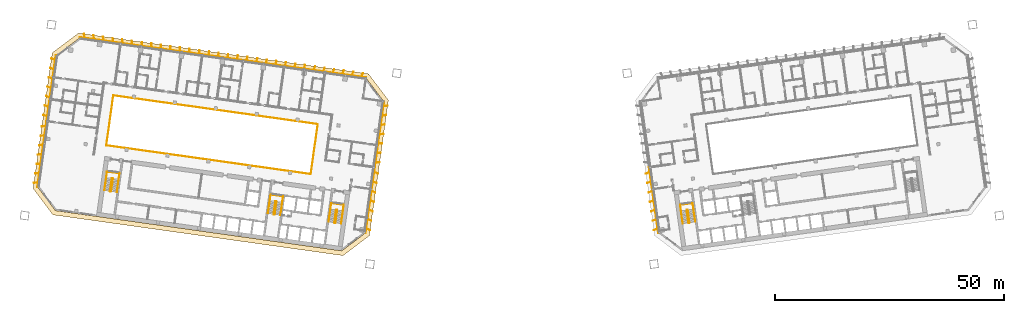
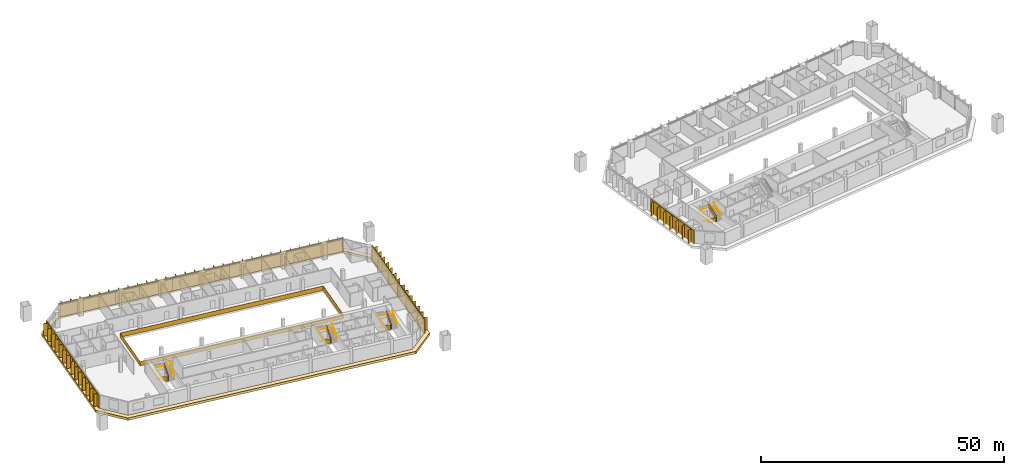
# One storey, part 24 of 25: 10 shading devices, 9 railings, 1 covering.
"""IFC4 building model written with IfcOpenShell, lengths in metres."""

import ifcopenshell
import ifcopenshell.guid

model = None  # the IFC model being written
_history = None  # IfcOwnerHistory: only IFC2X3 demands one
_inside = {}  # id of a spatial element -> (the spatial element, [elements in it])
_under = {}  # id of a project, library or spatial element -> (it, [spatial elements below it])
_declared = {}  # id of a project -> (the project, [libraries it declares])
_typed = {}  # id of a type object -> (the type object, [elements of that type])
_made_of = {}  # id of a material, layer set ... -> (it, [elements and type objects made of it])


def new_model(schema):
    """Start an empty IFC model of exactly this schema.

    Asked for "IFC4X3", IfcOpenShell would pick the latest addendum, in which some entities
    have other attributes; the version numbers below select the first issue.
    IFC2X3 requires an IfcOwnerHistory on every rooted entity: one is made here for all.
    """
    global model, _history
    if schema == "IFC4X3":
        model = ifcopenshell.file(schema_version=(4, 3, 0, 0))
    else:
        model = ifcopenshell.file(schema=schema)
    _inside.clear()
    _under.clear()
    _declared.clear()
    _typed.clear()
    _made_of.clear()
    _history = None
    if model.schema == "IFC2X3":
        org = make("IfcOrganization", Name="unknown")
        user = make(
            "IfcPersonAndOrganization",
            ThePerson=make("IfcPerson", FamilyName="unknown"),
            TheOrganization=org,
        )
        app = make(
            "IfcApplication",
            ApplicationDeveloper=org,
            Version="unknown",
            ApplicationFullName="unknown",
            ApplicationIdentifier="unknown",
        )
        _history = make(
            "IfcOwnerHistory",
            OwningUser=user,
            OwningApplication=app,
            ChangeAction="ADDED",
            CreationDate=0,
        )
    return model


def make(cls, **values):
    """One entity of the class cls with the attributes given. An attribute that is None is left unset."""
    return model.create_entity(
        cls, **{name: value for name, value in values.items() if value is not None}
    )


def rooted(cls, **values):
    """An entity with a GlobalId (a new one), such as an element, a storey or a relation."""
    return make(cls, GlobalId=ifcopenshell.guid.new(), OwnerHistory=_history, **values)


def si_unit(unit_type, name, prefix=None):
    """IfcSIUnit, for example si_unit("LENGTHUNIT", "METRE", prefix="MILLI")."""
    return make("IfcSIUnit", UnitType=unit_type, Prefix=prefix, Name=name)


def assignment(units):
    """IfcUnitAssignment: the units of a project."""
    return None if units is None else make("IfcUnitAssignment", Units=units)


def point(xyz):
    """IfcCartesianPoint."""
    return None if xyz is None else make("IfcCartesianPoint", Coordinates=xyz)


def direction(xyz):
    """IfcDirection."""
    return None if xyz is None else make("IfcDirection", DirectionRatios=xyz)


def frame(location, z_axis=None, x_axis=None):
    """IfcAxis2Placement3D, a coordinate frame: its origin and axes. An axis left out is left unset."""
    return make(
        "IfcAxis2Placement3D",
        Location=point(location),
        Axis=direction(z_axis),
        RefDirection=direction(x_axis),
    )


def frame_2d(location, x_axis=None):
    """IfcAxis2Placement2D, a coordinate frame in the plane: its origin and x axis."""
    return make(
        "IfcAxis2Placement2D", Location=point(location), RefDirection=direction(x_axis)
    )


def origin():
    """The frame at (0, 0, 0) with its axes left unset."""
    return frame((0.0, 0.0, 0.0))


def origin_2d():
    """The frame at (0, 0) in the plane with its x axis left unset."""
    return frame_2d((0.0, 0.0))


def place(relative_to, where):
    """IfcLocalPlacement: puts the frame where relative to a parent placement (None: the world)."""
    return make(
        "IfcLocalPlacement", PlacementRelTo=relative_to, RelativePlacement=where
    )


def context(
    kind, dimensions, precision=None, world=None, true_north=None, identifier=None
):
    """IfcGeometricRepresentationContext, for example the 3D "Model" context."""
    return make(
        "IfcGeometricRepresentationContext",
        ContextIdentifier=identifier,
        ContextType=kind,
        CoordinateSpaceDimension=dimensions,
        Precision=precision,
        WorldCoordinateSystem=world,
        TrueNorth=true_north,
    )


def subcontext(parent, identifier, kind, view, scale=None):
    """IfcGeometricRepresentationSubContext, for example "Body" below "Model"."""
    return make(
        "IfcGeometricRepresentationSubContext",
        ContextIdentifier=identifier,
        ContextType=kind,
        ParentContext=parent,
        TargetScale=scale,
        TargetView=view,
    )


def project(units=None, contexts=None):
    """IfcProject with its units and contexts."""
    return rooted(
        "IfcProject",
        Name="project",
        RepresentationContexts=contexts,
        UnitsInContext=assignment(units),
    )


def spatial(cls, under=None, at=None, **own):
    """A site, building, storey or space (cls), placed at a placement, below another one or the project."""
    s = rooted(cls, ObjectPlacement=at, **own)
    if under is not None:
        _under.setdefault(under.id(), (under, []))[1].append(s)
    return s


def polyline(points):
    """IfcPolyline through the points."""
    return make("IfcPolyline", Points=[point(p) for p in points])


def profile(cls, at=None, kind="AREA", **sizes):
    """A parametric profile (cls). Its sizes go by their IFC names, for example OverallWidth=200.0."""
    return make(cls, ProfileType=kind, Position=at, **sizes)


def rectangle(**sizes):
    """IfcRectangleProfileDef."""
    return profile("IfcRectangleProfileDef", **sizes)


def outline(outer, holes=None, kind="AREA"):
    """IfcArbitraryClosedProfileDef: a profile drawn as a closed curve; with holes, ...WithVoids."""
    if holes is None:
        return make("IfcArbitraryClosedProfileDef", ProfileType=kind, OuterCurve=outer)
    return make(
        "IfcArbitraryProfileDefWithVoids",
        ProfileType=kind,
        OuterCurve=outer,
        InnerCurves=holes,
    )


def extrude(swept, where, along, depth):
    """IfcExtrudedAreaSolid: the profile swept, set in the frame where, extruded along a direction by depth."""
    return make(
        "IfcExtrudedAreaSolid",
        SweptArea=swept,
        Position=where,
        ExtrudedDirection=direction(along),
        Depth=depth,
    )


def shape(context_of_items, identifier, shape_type, items):
    """IfcShapeRepresentation: the items that make up one representation, for example the "Body"."""
    return make(
        "IfcShapeRepresentation",
        ContextOfItems=context_of_items,
        RepresentationIdentifier=identifier,
        RepresentationType=shape_type,
        Items=items,
    )


def material(Name=None, Category=None):
    """IfcMaterial."""
    return make("IfcMaterial", Name=Name, Category=Category)


def layer(
    of_material, thickness, ventilated=None, Name=None, Category=None, Priority=None
):
    """IfcMaterialLayer: one layer of a wall or slab, of a material (None: an air gap)."""
    return make(
        "IfcMaterialLayer",
        Material=of_material,
        LayerThickness=thickness,
        IsVentilated=ventilated,
        Name=Name,
        Category=Category,
        Priority=Priority,
    )


def layer_set(layers, Name=None):
    """IfcMaterialLayerSet."""
    return make("IfcMaterialLayerSet", MaterialLayers=layers, LayerSetName=Name)


def made_of(thing, what):
    """Note that an element or type object is made of a material, layer set ...; save() writes the relation."""
    if what is not None:
        _made_of.setdefault(what.id(), (what, []))[1].append(thing)
    return thing


def type_object(cls, material=None, **own):
    """A type object (cls), such as IfcWallType, which elements share."""
    return made_of(rooted(cls, **own), material)


def element(
    cls,
    number,
    at=None,
    inside=None,
    cuts=None,
    type_object=None,
    material=None,
    context=None,
    identifier="Body",
    shape_type=None,
    held_by="IfcProductDefinitionShape",
    body=None,
    shapes=None,
    **own,
):
    """One element of the class cls, such as IfcWall. Its Tag is "e" and its number.

    at: its placement. inside: the storey or other place that contains it. cuts: it is an
    opening in that element (IfcRelVoidsElement). A single representation is given by context,
    identifier, shape_type and body (its items); several are given by shapes. held_by: the class
    of the entity that holds the representations. save() writes the other relations.
    """
    e = rooted(cls, Tag="e%d" % number, ObjectPlacement=at, **own)
    if body is not None:
        shapes = [shape(context, identifier, shape_type, body)]
    if shapes is not None:
        e.Representation = make(held_by, Representations=shapes)
    if inside is not None:
        _inside.setdefault(inside.id(), (inside, []))[1].append(e)
    if cuts is not None:
        rooted(
            "IfcRelVoidsElement", RelatingBuildingElement=cuts, RelatedOpeningElement=e
        )
    if type_object is not None:
        _typed.setdefault(type_object.id(), (type_object, []))[1].append(e)
    return made_of(e, material)


def aggregate(whole, parts):
    """IfcRelAggregates: a whole, such as a stair, and the parts it consists of."""
    return rooted("IfcRelAggregates", RelatingObject=whole, RelatedObjects=parts)


def save(model, path):
    """Write the relations noted so far, then the file.

    IfcRelAggregates (storeys below a building ...), IfcRelContainedInSpatialStructure (elements
    in a storey), IfcRelDefinesByType, IfcRelAssociatesMaterial and IfcRelDeclares: one each for
    every whole, place, type object, material and project.
    """
    for whole, parts in _under.values():
        aggregate(whole, parts)
    for where, things in _inside.values():
        rooted(
            "IfcRelContainedInSpatialStructure",
            RelatedElements=things,
            RelatingStructure=where,
        )
    for kind, things in _typed.values():
        rooted("IfcRelDefinesByType", RelatedObjects=things, RelatingType=kind)
    for what, things in _made_of.values():
        rooted("IfcRelAssociatesMaterial", RelatedObjects=things, RelatingMaterial=what)
    for by, libraries in _declared.values():
        rooted("IfcRelDeclares", RelatingContext=by, RelatedDefinitions=libraries)
    model.write(path)


model = new_model("IFC4")

# Units and contexts
model_context = context("Model", 3, precision=1e-05, world=origin(), true_north=direction((0.0, 1.0)))
body_context = subcontext(model_context, "Body", "Model", "MODEL_VIEW")
ifc_project = project(units=[si_unit("LENGTHUNIT", "METRE"), si_unit("AREAUNIT", "SQUARE_METRE"), si_unit("VOLUMEUNIT", "CUBIC_METRE"), si_unit("PLANEANGLEUNIT", "RADIAN"), si_unit("MASSUNIT", "GRAM", prefix="KILO")], contexts=[model_context])

# Site, building, storey
site_placement = place(None, origin())
site = spatial("IfcSite", under=ifc_project, at=site_placement, CompositionType="ELEMENT")
building_placement = place(site_placement, origin())
building = spatial("IfcBuilding", under=site, at=building_placement, Name="Mirante Cascada Hotel Towers", CompositionType="ELEMENT")
storey_placement = place(building_placement, frame((0.0, 0.0, 62.3)))
storey = spatial("IfcBuildingStorey", under=building, at=storey_placement, Name="L12", CompositionType="ELEMENT", Elevation=62.3)

# Railing
ifc_material_1 = material(Name="Toughened glass with stainless steel handrail", Category="steel")
railing_type_1 = type_object("IfcRailingType", Name="Atrium guard 1100 glass balustrade", PredefinedType="GUARDRAIL", material=ifc_material_1)
railing_1_placement = place(storey_placement, frame((-43.8418, -3.4881, 0.0)))
element("IfcRailing", 1, at=railing_1_placement, inside=storey, type_object=railing_type_1, Name="GUARD 1-L12-1", PredefinedType="GUARDRAIL", context=body_context, shape_type="SweptSolid", body=[
    extrude(rectangle(XDim=0.048, YDim=0.048, at=origin_2d()), frame((0.0, 0.0, 1.076), z_axis=(-0.9902681, 0.1391732, 0.0), x_axis=(-0.1391732, -0.9902681, 0.0)), (0.0, 0.0, 1.0), 45.0),
    extrude(rectangle(XDim=0.02, YDim=1.052, at=origin_2d()), frame((0.0, 0.0, 0.526), z_axis=(-0.9902681, 0.1391732, 0.0), x_axis=(-0.1391732, -0.9902681, 0.0)), (0.0, 0.0, 1.0), 45.0),
    extrude(rectangle(XDim=0.048, YDim=0.048, at=origin_2d()), frame((-44.5621, 6.2628, 1.076), z_axis=(0.1391721, 0.9902682, 0.0), x_axis=(-0.9902682, 0.1391721, 0.0)), (0.0, 0.0, 1.0), 11.0001),
    extrude(rectangle(XDim=0.02, YDim=1.052, at=origin_2d()), frame((-44.5621, 6.2628, 0.526), z_axis=(0.1391721, 0.9902682, 0.0), x_axis=(-0.9902682, 0.1391721, 0.0)), (0.0, 0.0, 1.0), 11.0001),
    extrude(rectangle(XDim=0.048, YDim=0.048, at=origin_2d()), frame((-43.0312, 17.1558, 1.076), z_axis=(0.9902681, -0.1391732, 0.0), x_axis=(0.1391732, 0.9902681, 0.0)), (0.0, 0.0, 1.0), 45.0),
    extrude(rectangle(XDim=0.02, YDim=1.052, at=origin_2d()), frame((-43.0312, 17.1558, 0.526), z_axis=(0.9902681, -0.1391732, 0.0), x_axis=(0.1391732, 0.9902681, 0.0)), (0.0, 0.0, 1.0), 45.0),
    extrude(rectangle(XDim=0.048, YDim=0.048, at=origin_2d()), frame((1.5309, 10.893, 1.076), z_axis=(-0.1391721, -0.9902682, 0.0), x_axis=(0.9902682, -0.1391721, 0.0)), (0.0, 0.0, 1.0), 11.0001),
    extrude(rectangle(XDim=0.02, YDim=1.052, at=origin_2d()), frame((1.5309, 10.893, 0.526), z_axis=(-0.1391721, -0.9902682, 0.0), x_axis=(0.9902682, -0.1391721, 0.0)), (0.0, 0.0, 1.0), 11.0001),
])

# Covering
ifc_material_2 = material(Name="Precast concrete C40/50 white", Category="concrete")
ifc_layer = layer(ifc_material_2, 0.6)
ifc_layer_set = layer_set([ifc_layer], Name="Precast concrete SUNSHADE band 1000x600")
covering_type = type_object("IfcCoveringType", Name="Precast concrete SUNSHADE band 1000x600", PredefinedType="CLADDING", material=ifc_layer_set)
covering_placement = place(storey_placement, frame((0.0, 0.0, -0.45)))
element("IfcCovering", 2, at=covering_placement, inside=storey, type_object=covering_type, Name="Precast concrete SUNSHADE band T1 L12", PredefinedType="CLADDING", context=body_context, shape_type="SweptSolid", body=[
    extrude(outline(polyline([(-104.3652, -6.6094), (-100.2139, 22.9287), (-94.4698, 27.2572), (-31.2626, 18.374), (-26.9341, 12.6299), (-31.0854, -16.9082), (-36.8295, -21.2367), (-100.0367, -12.3535), (-104.3652, -6.6094)]), holes=[polyline([(-27.982, 12.3589), (-31.8119, 17.4414), (-94.1988, 26.2093), (-99.2813, 22.3794), (-103.3173, -6.3384), (-99.4874, -11.4209), (-37.1005, -20.1888), (-32.018, -16.3589), (-27.982, 12.3589)])]), origin(), (0.0, 0.0, 1.0), 0.6),
])

# Railings
ifc_material_3 = material(Name="Painted steel", Category="steel")
railing_type_2 = type_object("IfcRailingType", Name="Stair guard 1100 steel balustrade", PredefinedType="GUARDRAIL", material=ifc_material_3)
railing_2_placement = place(storey_placement, frame((-38.1178, -11.2603, 0.0)))
element("IfcRailing", 3, at=railing_2_placement, inside=storey, type_object=railing_type_2, Name="L12 ST1-A stair guard 1", PredefinedType="GUARDRAIL", context=body_context, shape_type="SweptSolid", body=[
    extrude(rectangle(XDim=0.048, YDim=0.048, at=origin_2d()), frame((0.0, 0.0, 1.076), z_axis=(-0.9903326, 0.1387133, 0.0), x_axis=(-0.1387133, -0.9903326, 0.0)), (0.0, 0.0, 1.0), 0.1499),
    extrude(rectangle(XDim=0.02, YDim=1.052, at=origin_2d()), frame((0.0, 0.0, 0.526), z_axis=(-0.9903326, 0.1387133, 0.0), x_axis=(-0.1387133, -0.9903326, 0.0)), (0.0, 0.0, 1.0), 0.1499),
    extrude(rectangle(XDim=0.048, YDim=0.048, at=origin_2d()), frame((-0.1485, 0.0208, 1.076), z_axis=(-0.7991505, -0.6011309, 0.0), x_axis=(0.6011309, -0.7991505, 0.0)), (0.0, 0.9254529, 0.3788627), 0.1866),
    extrude(rectangle(XDim=0.02, YDim=1.052, at=origin_2d()), frame((-0.1485, 0.0208, 0.526), z_axis=(-0.7991505, -0.6011309, 0.0), x_axis=(0.6011309, -0.7991505, 0.0)), (0.0, 0.9254529, 0.3788627), 0.1866),
    extrude(rectangle(XDim=0.048, YDim=0.048, at=origin_2d()), frame((-0.205, -0.0217, 1.2487), z_axis=(-0.139176, -0.9902677, 0.0), x_axis=(0.9902677, -0.139176, 0.0)), (0.0, 0.5250212, 0.8510891), 3.29),
    extrude(rectangle(XDim=0.02, YDim=1.052, at=origin_2d()), frame((-0.205, -0.0217, 0.6987), z_axis=(-0.139176, -0.9902677, 0.0), x_axis=(0.9902677, -0.139176, 0.0)), (0.0, 0.5250212, 0.8510891), 3.29),
    extrude(rectangle(XDim=0.048, YDim=0.048, at=origin_2d()), frame((-0.5947, -2.7945, 2.976), z_axis=(0.9270311, -0.3749843, 0.0), x_axis=(0.3749843, 0.9270311, 0.0)), (0.0, 0.0, 1.0), 0.2061),
    extrude(rectangle(XDim=0.02, YDim=1.052, at=origin_2d()), frame((-0.5947, -2.7945, 2.426), z_axis=(0.9270311, -0.3749843, 0.0), x_axis=(0.3749843, 0.9270311, 0.0)), (0.0, 0.0, 1.0), 0.2061),
    extrude(rectangle(XDim=0.048, YDim=0.048, at=origin_2d()), frame((-0.4036, -2.8718, 2.976), z_axis=(-0.9902408, 0.1393672, 0.0), x_axis=(-0.1393672, -0.9902408, 0.0)), (0.0, 0.0, 1.0), 0.15),
    extrude(rectangle(XDim=0.02, YDim=1.052, at=origin_2d()), frame((-0.4036, -2.8718, 2.426), z_axis=(-0.9902408, 0.1393672, 0.0), x_axis=(-0.1393672, -0.9902408, 0.0)), (0.0, 0.0, 1.0), 0.15),
    extrude(rectangle(XDim=0.048, YDim=0.048, at=origin_2d()), frame((-0.5521, -2.8509, 2.976), z_axis=(0.9944948, 0.1047858, 0.0), x_axis=(-0.1047858, 0.9944948, 0.0)), (0.0, 0.6422034, 0.7665343), 0.2689),
    extrude(rectangle(XDim=0.02, YDim=1.052, at=origin_2d()), frame((-0.5521, -2.8509, 2.426), z_axis=(0.9944948, 0.1047858, 0.0), x_axis=(-0.1047858, 0.9944948, 0.0)), (0.0, 0.6422034, 0.7665343), 0.2689),
    extrude(rectangle(XDim=0.048, YDim=0.048, at=origin_2d()), frame((-0.3471, -2.8293, 3.1487), z_axis=(0.139176, 0.9902677, 0.0), x_axis=(-0.9902677, 0.139176, 0.0)), (0.0, 0.5250212, 0.8510891), 3.29),
    extrude(rectangle(XDim=0.02, YDim=1.052, at=origin_2d()), frame((-0.3471, -2.8293, 2.5987), z_axis=(0.139176, 0.9902677, 0.0), x_axis=(-0.9902677, 0.139176, 0.0)), (0.0, 0.5250212, 0.8510891), 3.29),
])
railing_3_placement = place(storey_placement, frame((-51.3379, -9.4024, 0.0)))
element("IfcRailing", 4, at=railing_3_placement, inside=storey, type_object=railing_type_2, Name="L12 ST1-B stair guard 1", PredefinedType="GUARDRAIL", context=body_context, shape_type="SweptSolid", body=[
    extrude(rectangle(XDim=0.048, YDim=0.048, at=origin_2d()), frame((0.0, 0.0, 1.076), z_axis=(-0.9902408, 0.1393672, 0.0), x_axis=(-0.1393672, -0.9902408, 0.0)), (0.0, 0.0, 1.0), 0.15),
    extrude(rectangle(XDim=0.02, YDim=1.052, at=origin_2d()), frame((0.0, 0.0, 0.526), z_axis=(-0.9902408, 0.1393672, 0.0), x_axis=(-0.1393672, -0.9902408, 0.0)), (0.0, 0.0, 1.0), 0.15),
    extrude(rectangle(XDim=0.048, YDim=0.048, at=origin_2d()), frame((-0.1485, 0.0209, 1.076), z_axis=(-0.7984711, -0.6020331, 0.0), x_axis=(0.6020331, -0.7984711, 0.0)), (0.0, 0.9253398, 0.3791387), 0.1866),
    extrude(rectangle(XDim=0.02, YDim=1.052, at=origin_2d()), frame((-0.1485, 0.0209, 0.526), z_axis=(-0.7984711, -0.6020331, 0.0), x_axis=(0.6020331, -0.7984711, 0.0)), (0.0, 0.9253398, 0.3791387), 0.1866),
    extrude(rectangle(XDim=0.048, YDim=0.048, at=origin_2d()), frame((-0.205, -0.0217, 1.2487), z_axis=(-0.139181, -0.990267, 0.0), x_axis=(0.990267, -0.139181, 0.0)), (0.0, 0.5250347, 0.8510808), 3.2899),
    extrude(rectangle(XDim=0.02, YDim=1.052, at=origin_2d()), frame((-0.205, -0.0217, 0.6987), z_axis=(-0.139181, -0.990267, 0.0), x_axis=(0.990267, -0.139181, 0.0)), (0.0, 0.5250347, 0.8510808), 3.2899),
    extrude(rectangle(XDim=0.048, YDim=0.048, at=origin_2d()), frame((-0.5947, -2.7944, 2.976), z_axis=(0.9268624, -0.3754011, 0.0), x_axis=(0.3754011, 0.9268624, 0.0)), (0.0, 0.0, 1.0), 0.2062),
    extrude(rectangle(XDim=0.02, YDim=1.052, at=origin_2d()), frame((-0.5947, -2.7944, 2.426), z_axis=(0.9268624, -0.3754011, 0.0), x_axis=(0.3754011, 0.9268624, 0.0)), (0.0, 0.0, 1.0), 0.2062),
    extrude(rectangle(XDim=0.048, YDim=0.048, at=origin_2d()), frame((-0.4036, -2.8718, 2.976), z_axis=(-0.9902408, 0.1393672, 0.0), x_axis=(-0.1393672, -0.9902408, 0.0)), (0.0, 0.0, 1.0), 0.15),
    extrude(rectangle(XDim=0.02, YDim=1.052, at=origin_2d()), frame((-0.4036, -2.8718, 2.426), z_axis=(-0.9902408, 0.1393672, 0.0), x_axis=(-0.1393672, -0.9902408, 0.0)), (0.0, 0.0, 1.0), 0.15),
    extrude(rectangle(XDim=0.048, YDim=0.048, at=origin_2d()), frame((-0.5521, -2.8509, 2.976), z_axis=(0.9944441, 0.1052656, 0.0), x_axis=(-0.1052656, 0.9944441, 0.0)), (0.0, 0.6421842, 0.7665504), 0.2689),
    extrude(rectangle(XDim=0.02, YDim=1.052, at=origin_2d()), frame((-0.5521, -2.8509, 2.426), z_axis=(0.9944441, 0.1052656, 0.0), x_axis=(-0.1052656, 0.9944441, 0.0)), (0.0, 0.6421842, 0.7665504), 0.2689),
    extrude(rectangle(XDim=0.048, YDim=0.048, at=origin_2d()), frame((-0.3471, -2.8292, 3.1487), z_axis=(0.139181, 0.990267, 0.0), x_axis=(-0.990267, 0.139181, 0.0)), (0.0, 0.5250347, 0.8510808), 3.2899),
    extrude(rectangle(XDim=0.02, YDim=1.052, at=origin_2d()), frame((-0.3471, -2.8292, 2.5987), z_axis=(0.139181, 0.990267, 0.0), x_axis=(-0.990267, 0.139181, 0.0)), (0.0, 0.5250347, 0.8510808), 3.2899),
])
railing_4_placement = place(storey_placement, frame((-86.9875, -4.3922, 0.0)))
element("IfcRailing", 5, at=railing_4_placement, inside=storey, type_object=railing_type_2, Name="L12 ST1-C stair guard 1", PredefinedType="GUARDRAIL", context=body_context, shape_type="SweptSolid", body=[
    extrude(rectangle(XDim=0.048, YDim=0.048, at=origin_2d()), frame((0.0, 0.0, 1.076), z_axis=(-0.9902537, 0.1392753, 0.0), x_axis=(-0.1392753, -0.9902537, 0.0)), (0.0, 0.0, 1.0), 0.1501),
    extrude(rectangle(XDim=0.02, YDim=1.052, at=origin_2d()), frame((0.0, 0.0, 0.526), z_axis=(-0.9902537, 0.1392753, 0.0), x_axis=(-0.1392753, -0.9902537, 0.0)), (0.0, 0.0, 1.0), 0.1501),
    extrude(rectangle(XDim=0.048, YDim=0.048, at=origin_2d()), frame((-0.1486, 0.0209, 1.076), z_axis=(-0.7986386, -0.601811, 0.0), x_axis=(0.601811, -0.7986386, 0.0)), (0.0, 0.925603, 0.3784959), 0.1866),
    extrude(rectangle(XDim=0.02, YDim=1.052, at=origin_2d()), frame((-0.1486, 0.0209, 0.526), z_axis=(-0.7986386, -0.601811, 0.0), x_axis=(0.601811, -0.7986386, 0.0)), (0.0, 0.925603, 0.3784959), 0.1866),
    extrude(rectangle(XDim=0.048, YDim=0.048, at=origin_2d()), frame((-0.205, -0.0216, 1.2487), z_axis=(-0.139176, -0.9902677, 0.0), x_axis=(0.9902677, -0.139176, 0.0)), (0.0, 0.5250212, 0.8510891), 3.29),
    extrude(rectangle(XDim=0.02, YDim=1.052, at=origin_2d()), frame((-0.205, -0.0216, 0.6987), z_axis=(-0.139176, -0.9902677, 0.0), x_axis=(0.9902677, -0.139176, 0.0)), (0.0, 0.5250212, 0.8510891), 3.29),
    extrude(rectangle(XDim=0.048, YDim=0.048, at=origin_2d()), frame((-0.5947, -2.7944, 2.976), z_axis=(0.9270311, -0.3749843, 0.0), x_axis=(0.3749843, 0.9270311, 0.0)), (0.0, 0.0, 1.0), 0.2061),
    extrude(rectangle(XDim=0.02, YDim=1.052, at=origin_2d()), frame((-0.5947, -2.7944, 2.426), z_axis=(0.9270311, -0.3749843, 0.0), x_axis=(0.3749843, 0.9270311, 0.0)), (0.0, 0.0, 1.0), 0.2061),
    extrude(rectangle(XDim=0.048, YDim=0.048, at=origin_2d()), frame((-0.4036, -2.8717, 2.976), z_axis=(-0.9903454, 0.1386217, 0.0), x_axis=(-0.1386217, -0.9903454, 0.0)), (0.0, 0.0, 1.0), 0.15),
    extrude(rectangle(XDim=0.02, YDim=1.052, at=origin_2d()), frame((-0.4036, -2.8717, 2.426), z_axis=(-0.9903454, 0.1386217, 0.0), x_axis=(-0.1386217, -0.9903454, 0.0)), (0.0, 0.0, 1.0), 0.15),
    extrude(rectangle(XDim=0.048, YDim=0.048, at=origin_2d()), frame((-0.5522, -2.8509, 2.976), z_axis=(0.9944441, 0.1052656, 0.0), x_axis=(-0.1052656, 0.9944441, 0.0)), (0.0, 0.6421842, 0.7665504), 0.2689),
    extrude(rectangle(XDim=0.02, YDim=1.052, at=origin_2d()), frame((-0.5522, -2.8509, 2.426), z_axis=(0.9944441, 0.1052656, 0.0), x_axis=(-0.1052656, 0.9944441, 0.0)), (0.0, 0.6421842, 0.7665504), 0.2689),
    extrude(rectangle(XDim=0.048, YDim=0.048, at=origin_2d()), frame((-0.3472, -2.8292, 3.1487), z_axis=(0.139176, 0.9902677, 0.0), x_axis=(-0.9902677, 0.139176, 0.0)), (0.0, 0.5250212, 0.8510891), 3.29),
    extrude(rectangle(XDim=0.02, YDim=1.052, at=origin_2d()), frame((-0.3472, -2.8292, 2.5987), z_axis=(0.139176, 0.9902677, 0.0), x_axis=(-0.9902677, 0.139176, 0.0)), (0.0, 0.5250212, 0.8510891), 3.29),
])
railing_5_placement = place(storey_placement, frame((38.2663, -11.2395, 0.0)))
element("IfcRailing", 6, at=railing_5_placement, inside=storey, type_object=railing_type_2, Name="L12 ST2-A stair guard 1", PredefinedType="GUARDRAIL", context=body_context, shape_type="SweptSolid", body=[
    extrude(rectangle(XDim=0.048, YDim=0.048, at=origin_2d()), frame((0.0, 0.0, 1.076), z_axis=(-0.9903326, -0.1387133, 0.0), x_axis=(0.1387133, -0.9903326, 0.0)), (0.0, 0.0, 1.0), 0.1499),
    extrude(rectangle(XDim=0.02, YDim=1.052, at=origin_2d()), frame((0.0, 0.0, 0.526), z_axis=(-0.9903326, -0.1387133, 0.0), x_axis=(0.1387133, -0.9903326, 0.0)), (0.0, 0.0, 1.0), 0.1499),
    extrude(rectangle(XDim=0.048, YDim=0.048, at=origin_2d()), frame((-0.1485, -0.0208, 1.076), z_axis=(-0.6020331, -0.7984711, 0.0), x_axis=(0.7984711, -0.6020331, 0.0)), (0.0, 0.9253398, 0.3791387), 0.1866),
    extrude(rectangle(XDim=0.02, YDim=1.052, at=origin_2d()), frame((-0.1485, -0.0208, 0.526), z_axis=(-0.6020331, -0.7984711, 0.0), x_axis=(0.7984711, -0.6020331, 0.0)), (0.0, 0.9253398, 0.3791387), 0.1866),
    extrude(rectangle(XDim=0.048, YDim=0.048, at=origin_2d()), frame((-0.1911, -0.0773, 1.2487), z_axis=(0.139176, -0.9902677, 0.0), x_axis=(0.9902677, 0.139176, 0.0)), (0.0, 0.5250212, 0.8510891), 3.29),
    extrude(rectangle(XDim=0.02, YDim=1.052, at=origin_2d()), frame((-0.1911, -0.0773, 0.6987), z_axis=(0.139176, -0.9902677, 0.0), x_axis=(0.9902677, 0.139176, 0.0)), (0.0, 0.5250212, 0.8510891), 3.29),
    extrude(rectangle(XDim=0.048, YDim=0.048, at=origin_2d()), frame((0.1986, -2.8501, 2.976), z_axis=(0.9944948, -0.1047858, 0.0), x_axis=(0.1047858, 0.9944948, 0.0)), (0.0, 0.0, 1.0), 0.2061),
    extrude(rectangle(XDim=0.02, YDim=1.052, at=origin_2d()), frame((0.1986, -2.8501, 2.426), z_axis=(0.9944948, -0.1047858, 0.0), x_axis=(0.1047858, 0.9944948, 0.0)), (0.0, 0.0, 1.0), 0.2061),
    extrude(rectangle(XDim=0.048, YDim=0.048, at=origin_2d()), frame((0.4036, -2.8717, 2.976), z_axis=(-0.9902408, -0.1393672, 0.0), x_axis=(0.1393672, -0.9902408, 0.0)), (0.0, 0.0, 1.0), 0.15),
    extrude(rectangle(XDim=0.02, YDim=1.052, at=origin_2d()), frame((0.4036, -2.8717, 2.426), z_axis=(-0.9902408, -0.1393672, 0.0), x_axis=(0.1393672, -0.9902408, 0.0)), (0.0, 0.0, 1.0), 0.15),
    extrude(rectangle(XDim=0.048, YDim=0.048, at=origin_2d()), frame((0.2551, -2.8926, 2.976), z_axis=(0.9270311, 0.3749843, 0.0), x_axis=(-0.3749843, 0.9270311, 0.0)), (0.0, 0.6421903, 0.7665452), 0.2689),
    extrude(rectangle(XDim=0.02, YDim=1.052, at=origin_2d()), frame((0.2551, -2.8926, 2.426), z_axis=(0.9270311, 0.3749843, 0.0), x_axis=(-0.3749843, 0.9270311, 0.0)), (0.0, 0.6421903, 0.7665452), 0.2689),
    extrude(rectangle(XDim=0.048, YDim=0.048, at=origin_2d()), frame((0.4462, -2.8153, 3.1487), z_axis=(-0.139176, 0.9902677, 0.0), x_axis=(-0.9902677, -0.139176, 0.0)), (0.0, 0.5250212, 0.8510891), 3.29),
    extrude(rectangle(XDim=0.02, YDim=1.052, at=origin_2d()), frame((0.4462, -2.8153, 2.5987), z_axis=(-0.139176, 0.9902677, 0.0), x_axis=(-0.9902677, -0.139176, 0.0)), (0.0, 0.5250212, 0.8510891), 3.29),
])
ifc_material_4 = material(Name="Painted steel", Category="steel")
railing_type_3 = type_object("IfcRailingType", Name="Stair handrail 900 steel tube", PredefinedType="HANDRAIL", material=ifc_material_4)
railing_6_placement = place(storey_placement, frame((-39.5606, -11.1081, 0.1727)))
element("IfcRailing", 7, at=railing_6_placement, inside=storey, type_object=railing_type_3, Name="L12 ST1-A stair handrail 1", PredefinedType="HANDRAIL", context=body_context, shape_type="SweptSolid", body=[
    extrude(rectangle(XDim=0.048, YDim=0.048, at=origin_2d()), frame((0.0, 0.0, 0.876), z_axis=(-0.139181, -0.990267, 0.0), x_axis=(0.990267, -0.139181, 0.0)), (0.0, 0.5250347, 0.8510808), 3.2899),
    extrude(rectangle(XDim=0.048, YDim=0.048, at=origin_2d()), frame((-0.3897, -2.7727, 2.6033), z_axis=(0.1391707, 0.9902684, 0.0), x_axis=(-0.9902684, 0.1391707, 0.0)), (0.0, 0.0420846, 0.999114), 4.1036),
    extrude(rectangle(XDim=0.048, YDim=0.048, at=origin_2d()), frame((0.1809, 1.2874, 2.776), z_axis=(0.9902691, -0.1391657, 0.0), x_axis=(0.1391657, 0.9902691, 0.0)), (0.0, 0.0, 1.0), 2.75),
    extrude(rectangle(XDim=0.048, YDim=0.048, at=origin_2d()), frame((2.9041, 0.9047, 2.776), z_axis=(-0.1391707, -0.9902684, 0.0), x_axis=(0.9902684, -0.1391707, 0.0)), (0.0, 0.0, 1.0), 4.1),
    extrude(rectangle(XDim=0.048, YDim=0.048, at=origin_2d()), frame((2.3335, -3.1554, 2.776), z_axis=(0.139181, 0.990267, 0.0), x_axis=(-0.990267, 0.139181, 0.0)), (0.0, 0.5250347, 0.8510808), 3.2899),
])
railing_7_placement = place(storey_placement, frame((-52.7807, -9.2501, 0.1727)))
element("IfcRailing", 8, at=railing_7_placement, inside=storey, type_object=railing_type_3, Name="L12 ST1-B stair handrail 1", PredefinedType="HANDRAIL", context=body_context, shape_type="SweptSolid", body=[
    extrude(rectangle(XDim=0.048, YDim=0.048, at=origin_2d()), frame((0.0, 0.0, 0.876), z_axis=(-0.139181, -0.990267, 0.0), x_axis=(0.990267, -0.139181, 0.0)), (0.0, 0.5250347, 0.8510808), 3.2899),
    extrude(rectangle(XDim=0.048, YDim=0.048, at=origin_2d()), frame((-0.3897, -2.7727, 2.6033), z_axis=(0.1391707, 0.9902684, 0.0), x_axis=(-0.9902684, 0.1391707, 0.0)), (0.0, 0.0420846, 0.999114), 4.1036),
    extrude(rectangle(XDim=0.048, YDim=0.048, at=origin_2d()), frame((0.1809, 1.2874, 2.776), z_axis=(0.9902641, -0.1392013, 0.0), x_axis=(0.1392013, 0.9902641, 0.0)), (0.0, 0.0, 1.0), 2.75),
    extrude(rectangle(XDim=0.048, YDim=0.048, at=origin_2d()), frame((2.9041, 0.9046, 2.776), z_axis=(-0.1391707, -0.9902684, 0.0), x_axis=(0.9902684, -0.1391707, 0.0)), (0.0, 0.0, 1.0), 4.1),
    extrude(rectangle(XDim=0.048, YDim=0.048, at=origin_2d()), frame((2.3335, -3.1555, 2.776), z_axis=(0.139176, 0.9902677, 0.0), x_axis=(-0.9902677, 0.139176, 0.0)), (0.0, 0.5250212, 0.8510891), 3.29),
])
railing_8_placement = place(storey_placement, frame((-88.4304, -4.2399, 0.1727)))
element("IfcRailing", 9, at=railing_8_placement, inside=storey, type_object=railing_type_3, Name="L12 ST1-C stair handrail 1", PredefinedType="HANDRAIL", context=body_context, shape_type="SweptSolid", body=[
    extrude(rectangle(XDim=0.048, YDim=0.048, at=origin_2d()), frame((0.0, 0.0, 0.876), z_axis=(-0.139181, -0.990267, 0.0), x_axis=(0.990267, -0.139181, 0.0)), (0.0, 0.5250347, 0.8510808), 3.2899),
    extrude(rectangle(XDim=0.048, YDim=0.048, at=origin_2d()), frame((-0.3897, -2.7727, 2.6033), z_axis=(0.1391947, 0.990265, 0.0), x_axis=(-0.990265, 0.1391947, 0.0)), (0.0, 0.0420845, 0.9991141), 4.1036),
    extrude(rectangle(XDim=0.048, YDim=0.048, at=origin_2d()), frame((0.181, 1.2874, 2.776), z_axis=(0.9902691, -0.1391657, 0.0), x_axis=(0.1391657, 0.9902691, 0.0)), (0.0, 0.0, 1.0), 2.75),
    extrude(rectangle(XDim=0.048, YDim=0.048, at=origin_2d()), frame((2.9042, 0.9047, 2.776), z_axis=(-0.1391707, -0.9902684, 0.0), x_axis=(0.9902684, -0.1391707, 0.0)), (0.0, 0.0, 1.0), 4.1),
    extrude(rectangle(XDim=0.048, YDim=0.048, at=origin_2d()), frame((2.3336, -3.1554, 2.776), z_axis=(0.139181, 0.990267, 0.0), x_axis=(-0.990267, 0.139181, 0.0)), (0.0, 0.5250347, 0.8510808), 3.2899),
])
railing_9_placement = place(storey_placement, frame((36.8374, -11.4908, 0.1727)))
element("IfcRailing", 10, at=railing_9_placement, inside=storey, type_object=railing_type_3, Name="L12 ST2-A stair handrail 1", PredefinedType="HANDRAIL", context=body_context, shape_type="SweptSolid", body=[
    extrude(rectangle(XDim=0.048, YDim=0.048, at=origin_2d()), frame((0.0, 0.0, 0.876), z_axis=(0.139181, -0.990267, 0.0), x_axis=(0.990267, 0.139181, 0.0)), (0.0, 0.5250347, 0.8510808), 3.2899),
    extrude(rectangle(XDim=0.048, YDim=0.048, at=origin_2d()), frame((0.3897, -2.7727, 2.6033), z_axis=(-0.1391707, 0.9902684, 0.0), x_axis=(-0.9902684, -0.1391707, 0.0)), (0.0, 0.0420846, 0.999114), 4.1036),
    extrude(rectangle(XDim=0.048, YDim=0.048, at=origin_2d()), frame((-0.1809, 1.2874, 2.776), z_axis=(0.9902691, 0.1391657, 0.0), x_axis=(-0.1391657, 0.9902691, 0.0)), (0.0, 0.0, 1.0), 2.75),
    extrude(rectangle(XDim=0.048, YDim=0.048, at=origin_2d()), frame((2.5423, 1.6701, 2.776), z_axis=(0.1391707, -0.9902684, 0.0), x_axis=(0.9902684, 0.1391707, 0.0)), (0.0, 0.0, 1.0), 4.1),
    extrude(rectangle(XDim=0.048, YDim=0.048, at=origin_2d()), frame((3.1129, -2.39, 2.776), z_axis=(-0.139181, 0.990267, 0.0), x_axis=(-0.990267, -0.139181, 0.0)), (0.0, 0.5250347, 0.8510808), 3.2899),
])

# Shading devices
ifc_material_5 = material(Name="White precast concrete C50/60 fin", Category="concrete")
shading_device_type = type_object("IfcShadingDeviceType", Name="Vertical fin set 4500x900", PredefinedType="USERDEFINED", material=ifc_material_5)
shading_device_1_placement = place(storey_placement, origin())
element("IfcShadingDevice", 11, at=shading_device_1_placement, inside=storey, type_object=shading_device_type, Name="FIN T1 L12 front 1", ObjectType="FIN", PredefinedType="USERDEFINED", context=body_context, shape_type="SweptSolid", body=[
    extrude(outline(polyline([(-82.8173, 25.599), (-82.7126, 24.7465), (-81.7006, 24.6042), (-81.7214, 24.4557), (-94.1988, 26.2093), (-94.1779, 26.3578), (-93.1924, 26.2193), (-93.2945, 27.0506), (-93.2151, 27.0603), (-93.1104, 26.2078), (-91.1129, 25.9271), (-91.2149, 26.7583), (-91.1355, 26.7681), (-91.0308, 25.9155), (-89.0333, 25.6348), (-89.1354, 26.4661), (-89.056, 26.4758), (-88.9513, 25.6233), (-86.9537, 25.3425), (-87.0558, 26.1738), (-86.9764, 26.1835), (-86.8717, 25.331), (-84.8742, 25.0503), (-84.9762, 25.8815), (-84.8968, 25.8913), (-84.7922, 25.0387), (-82.7946, 24.758), (-82.8967, 25.5893), (-82.8173, 25.599)])), origin(), (0.0, 0.0, 1.0), 3.35),
])
shading_device_2_placement = place(storey_placement, origin())
element("IfcShadingDevice", 12, at=shading_device_2_placement, inside=storey, type_object=shading_device_type, Name="FIN T1 L12 front 2", ObjectType="FIN", PredefinedType="USERDEFINED", context=body_context, shape_type="SweptSolid", body=[
    extrude(outline(polyline([(-70.2221, 23.8469), (-70.2295, 22.9921), (-69.2232, 22.8507), (-69.2441, 22.7021), (-81.7214, 24.4557), (-81.7006, 24.6042), (-80.7072, 24.4646), (-80.6999, 25.3089), (-80.6199, 25.3082), (-80.6273, 24.4534), (-78.6277, 24.1724), (-78.6203, 25.0166), (-78.5403, 25.0159), (-78.5478, 24.1611), (-76.5481, 23.8801), (-76.5407, 24.7244), (-76.4608, 24.7237), (-76.4682, 23.8689), (-74.4686, 23.5878), (-74.4612, 24.4321), (-74.3812, 24.4314), (-74.3886, 23.5766), (-72.389, 23.2956), (-72.3816, 24.1399), (-72.3016, 24.1392), (-72.3091, 23.2844), (-70.3094, 23.0033), (-70.3021, 23.8476), (-70.2221, 23.8469)])), origin(), (0.0, 0.0, 1.0), 3.35),
])
shading_device_3_placement = place(storey_placement, origin())
element("IfcShadingDevice", 13, at=shading_device_3_placement, inside=storey, type_object=shading_device_type, Name="FIN T1 L12 front 3", ObjectType="FIN", PredefinedType="USERDEFINED", context=body_context, shape_type="SweptSolid", body=[
    extrude(outline(polyline([(-57.6277, 22.0794), (-57.746, 21.2376), (-56.7458, 21.0971), (-56.7667, 20.9485), (-69.2441, 22.7021), (-69.2232, 22.8507), (-68.223, 22.7101), (-68.1047, 23.5518), (-68.0255, 23.5407), (-68.1438, 22.699), (-66.1434, 22.4178), (-66.0251, 23.2596), (-65.9459, 23.2484), (-66.0642, 22.4067), (-64.0639, 22.1256), (-63.9456, 22.9673), (-63.8664, 22.9562), (-63.9847, 22.1144), (-61.9843, 21.8333), (-61.866, 22.675), (-61.7868, 22.6639), (-61.9051, 21.8222), (-59.9048, 21.541), (-59.7865, 22.3828), (-59.7072, 22.3716), (-59.8255, 21.5299), (-57.8252, 21.2488), (-57.7069, 22.0905), (-57.6277, 22.0794)])), origin(), (0.0, 0.0, 1.0), 3.35),
])
shading_device_4_placement = place(storey_placement, origin())
element("IfcShadingDevice", 14, at=shading_device_4_placement, inside=storey, type_object=shading_device_type, Name="FIN T1 L12 front 4", ObjectType="FIN", PredefinedType="USERDEFINED", context=body_context, shape_type="SweptSolid", body=[
    extrude(outline(polyline([(-45.0361, 20.2967), (-45.2617, 19.4831), (-44.2684, 19.3435), (-44.2893, 19.195), (-56.7667, 20.9485), (-56.7458, 21.0971), (-55.7394, 20.9556), (-55.511, 21.7794), (-55.4339, 21.758), (-55.6595, 20.9444), (-53.6599, 20.6634), (-53.4314, 21.4871), (-53.3544, 21.4657), (-53.58, 20.6521), (-51.5803, 20.3711), (-51.3519, 21.1949), (-51.2748, 21.1735), (-51.5004, 20.3599), (-49.5008, 20.0789), (-49.2723, 20.9026), (-49.1952, 20.8812), (-49.4209, 20.0676), (-47.4212, 19.7866), (-47.1928, 20.6103), (-47.1157, 20.589), (-47.3413, 19.7754), (-45.3416, 19.4943), (-45.1132, 20.3181), (-45.0361, 20.2967)])), origin(), (0.0, 0.0, 1.0), 3.35),
])
shading_device_5_placement = place(storey_placement, origin())
element("IfcShadingDevice", 15, at=shading_device_5_placement, inside=storey, type_object=shading_device_type, Name="FIN T1 L12 front 5", ObjectType="FIN", PredefinedType="USERDEFINED", context=body_context, shape_type="SweptSolid", body=[
    extrude(outline(polyline([(-32.4493, 18.4994), (-32.7765, 17.7284), (-31.791, 17.5899), (-31.8119, 17.4414), (-44.2893, 19.195), (-44.2684, 19.3435), (-43.2564, 19.2013), (-42.9208, 19.9919), (-42.8471, 19.9607), (-43.1744, 19.1897), (-41.1768, 18.909), (-40.8412, 19.6997), (-40.7676, 19.6684), (-41.0948, 18.8975), (-39.0973, 18.6167), (-38.7616, 19.4074), (-38.688, 19.3761), (-39.0152, 18.6052), (-37.0177, 18.3245), (-36.6821, 19.1151), (-36.6084, 19.0839), (-36.9357, 18.3129), (-34.9381, 18.0322), (-34.6025, 18.8229), (-34.5289, 18.7916), (-34.8561, 18.0207), (-32.8586, 17.7399), (-32.5229, 18.5306), (-32.4493, 18.4994)])), origin(), (0.0, 0.0, 1.0), 3.35),
])
shading_device_6_placement = place(storey_placement, origin())
element("IfcShadingDevice", 16, at=shading_device_6_placement, inside=storey, type_object=shading_device_type, Name="FIN T1 L12 inner 1", ObjectType="FIN", PredefinedType="USERDEFINED", context=body_context, shape_type="SweptSolid", body=[
    extrude(outline(polyline([(-29.7112, -1.023), (-29.8515, -2.0209), (-30.0, -2.0), (-27.982, 12.3589), (-27.8334, 12.338), (-27.97, 11.3667), (-27.1387, 11.4687), (-27.1289, 11.3893), (-27.9815, 11.2846), (-28.2583, 9.3154), (-27.427, 9.4174), (-27.4172, 9.338), (-28.2698, 9.2334), (-28.5465, 7.2641), (-27.7153, 7.3662), (-27.7055, 7.2868), (-28.5581, 7.1821), (-28.8348, 5.2128), (-28.0036, 5.3149), (-27.9938, 5.2355), (-28.8464, 5.1308), (-29.1231, 3.1616), (-28.2918, 3.2636), (-28.2821, 3.1842), (-29.1346, 3.0796), (-29.4114, 1.1103), (-28.5801, 1.2124), (-28.5704, 1.133), (-29.4229, 1.0283), (-29.6997, -0.941), (-28.8684, -0.8389), (-28.8587, -0.9183), (-29.7112, -1.023)])), origin(), (0.0, 0.0, 1.0), 3.35),
])
shading_device_7_placement = place(storey_placement, origin())
element("IfcShadingDevice", 17, at=shading_device_7_placement, inside=storey, type_object=shading_device_type, Name="FIN T1 L12 inner 2", ObjectType="FIN", PredefinedType="USERDEFINED", context=body_context, shape_type="SweptSolid", body=[
    extrude(outline(polyline([(-31.733, -15.4084), (-31.8695, -16.3798), (-32.018, -16.3589), (-30.0, -2.0), (-29.8515, -2.0209), (-29.9917, -3.0188), (-29.201, -3.3544), (-29.2323, -3.428), (-30.0032, -3.1008), (-30.28, -5.07), (-29.4893, -5.4057), (-29.5206, -5.4793), (-30.2915, -5.1521), (-30.5683, -7.1213), (-29.7776, -7.4569), (-29.8089, -7.5306), (-30.5798, -7.2033), (-30.8566, -9.1726), (-30.0659, -9.5082), (-30.0972, -9.5818), (-30.8681, -9.2546), (-31.1449, -11.2238), (-30.3542, -11.5595), (-30.3854, -11.6331), (-31.1564, -11.3059), (-31.4331, -13.2751), (-30.6425, -13.6107), (-30.6737, -13.6844), (-31.4447, -13.3571), (-31.7214, -15.3264), (-30.9308, -15.662), (-30.962, -15.7356), (-31.733, -15.4084)])), origin(), (0.0, 0.0, 1.0), 3.35),
])
shading_device_8_placement = place(storey_placement, origin())
element("IfcShadingDevice", 18, at=shading_device_8_placement, inside=storey, type_object=shading_device_type, Name="FIN T1 L12 outer 1", ObjectType="FIN", PredefinedType="USERDEFINED", context=body_context, shape_type="SweptSolid", body=[
    extrude(outline(polyline([(-103.3178, -5.2642), (-103.041, -3.2949), (-103.8723, -3.397), (-103.8821, -3.3176), (-103.0295, -3.2129), (-102.7528, -1.2436), (-103.584, -1.3457), (-103.5938, -1.2663), (-102.7412, -1.1616), (-102.4645, 0.8076), (-103.2957, 0.7056), (-103.3055, 0.785), (-102.4529, 0.8896), (-102.1762, 2.8589), (-103.0075, 2.7568), (-103.0172, 2.8362), (-102.1647, 2.9409), (-101.8879, 4.9102), (-102.7192, 4.8081), (-102.7289, 4.8875), (-101.8764, 4.9922), (-101.5996, 6.9614), (-102.4309, 6.8594), (-102.4406, 6.9388), (-101.5881, 7.0434), (-101.4478, 8.0413), (-101.2993, 8.0205), (-103.3173, -6.3384), (-103.4659, -6.3175), (-103.3293, -5.3462), (-104.1606, -5.4483), (-104.1704, -5.3689), (-103.3178, -5.2642)])), origin(), (0.0, 0.0, 1.0), 3.35),
])
shading_device_9_placement = place(storey_placement, origin())
element("IfcShadingDevice", 19, at=shading_device_9_placement, inside=storey, type_object=shading_device_type, Name="FIN T1 L12 outer 2", ObjectType="FIN", PredefinedType="USERDEFINED", context=body_context, shape_type="SweptSolid", body=[
    extrude(outline(polyline([(-101.2961, 9.1212), (-101.0193, 11.0905), (-101.81, 11.4261), (-101.7787, 11.4998), (-101.0078, 11.1725), (-100.731, 13.1418), (-101.5217, 13.4774), (-101.4904, 13.551), (-100.7195, 13.2238), (-100.4427, 15.193), (-101.2334, 15.5287), (-101.2021, 15.6023), (-100.4312, 15.2751), (-100.1544, 17.2443), (-100.9451, 17.5799), (-100.9139, 17.6536), (-100.1429, 17.3263), (-99.8662, 19.2956), (-100.6568, 19.6312), (-100.6256, 19.7048), (-99.8546, 19.3776), (-99.5779, 21.3469), (-100.3685, 21.6825), (-100.3373, 21.7561), (-99.5663, 21.4289), (-99.4298, 22.4002), (-99.2813, 22.3794), (-101.2993, 8.0205), (-101.4478, 8.0413), (-101.3076, 9.0392), (-102.0983, 9.3749), (-102.067, 9.4485), (-101.2961, 9.1212)])), origin(), (0.0, 0.0, 1.0), 3.35),
])
shading_device_10_placement = place(storey_placement, origin())
element("IfcShadingDevice", 20, at=shading_device_10_placement, inside=storey, type_object=shading_device_type, Name="FIN T2 L12 inner 2", ObjectType="FIN", PredefinedType="USERDEFINED", context=body_context, shape_type="SweptSolid", body=[
    extrude(outline(polyline([(30.9308, -15.662), (31.7214, -15.3264), (31.4447, -13.3571), (30.6737, -13.6844), (30.6425, -13.6107), (31.4331, -13.2751), (31.1564, -11.3059), (30.3854, -11.6331), (30.3542, -11.5595), (31.1449, -11.2238), (30.8681, -9.2546), (30.0972, -9.5818), (30.0659, -9.5082), (30.8566, -9.1726), (30.5798, -7.2033), (29.8089, -7.5306), (29.7776, -7.4569), (30.5683, -7.1213), (30.2915, -5.1521), (29.5206, -5.4793), (29.4893, -5.4057), (30.28, -5.07), (30.0032, -3.1008), (29.2323, -3.428), (29.201, -3.3544), (29.9917, -3.0188), (29.8515, -2.0209), (30.0, -2.0), (32.018, -16.3589), (31.8695, -16.3798), (31.733, -15.4084), (30.962, -15.7356), (30.9308, -15.662)])), origin(), (0.0, 0.0, 1.0), 3.35),
])

save(model, "model.ifc")
